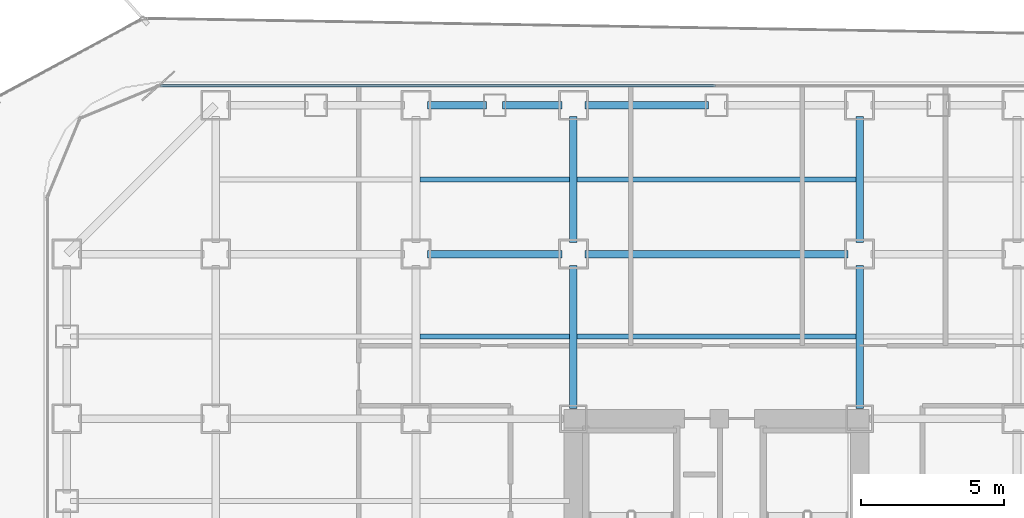
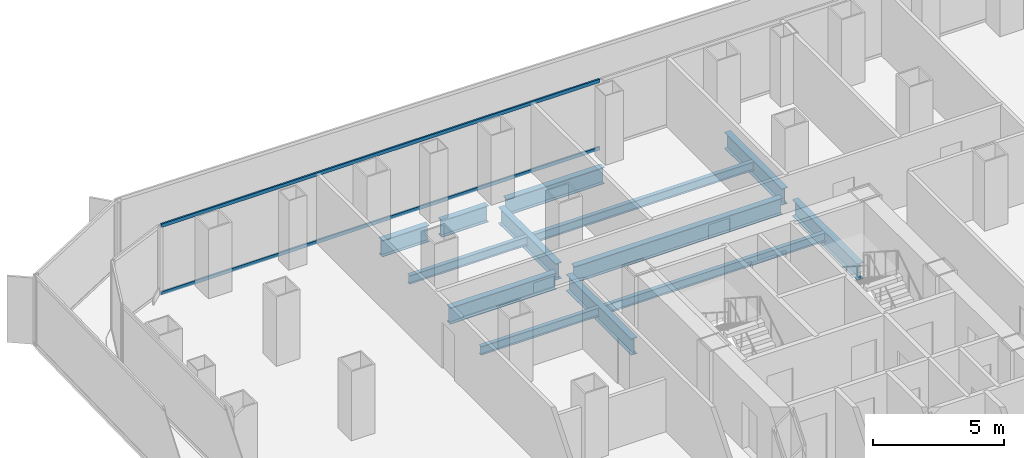
# One storey, part 12 of 22: 13 beams, 2 members, 1 element without a shape of its own.
"""IFC4 building model written with IfcOpenShell, lengths in metres."""

import ifcopenshell
import ifcopenshell.guid

model = None  # the IFC model being written
_history = None  # IfcOwnerHistory: only IFC2X3 demands one
_inside = {}  # id of a spatial element -> (the spatial element, [elements in it])
_under = {}  # id of a project, library or spatial element -> (it, [spatial elements below it])
_declared = {}  # id of a project -> (the project, [libraries it declares])
_typed = {}  # id of a type object -> (the type object, [elements of that type])
_made_of = {}  # id of a material, layer set ... -> (it, [elements and type objects made of it])


def new_model(schema):
    """Start an empty IFC model of exactly this schema.

    Asked for "IFC4X3", IfcOpenShell would pick the latest addendum, in which some entities
    have other attributes; the version numbers below select the first issue.
    IFC2X3 requires an IfcOwnerHistory on every rooted entity: one is made here for all.
    """
    global model, _history
    if schema == "IFC4X3":
        model = ifcopenshell.file(schema_version=(4, 3, 0, 0))
    else:
        model = ifcopenshell.file(schema=schema)
    _inside.clear()
    _under.clear()
    _declared.clear()
    _typed.clear()
    _made_of.clear()
    _history = None
    if model.schema == "IFC2X3":
        org = make("IfcOrganization", Name="unknown")
        user = make(
            "IfcPersonAndOrganization",
            ThePerson=make("IfcPerson", FamilyName="unknown"),
            TheOrganization=org,
        )
        app = make(
            "IfcApplication",
            ApplicationDeveloper=org,
            Version="unknown",
            ApplicationFullName="unknown",
            ApplicationIdentifier="unknown",
        )
        _history = make(
            "IfcOwnerHistory",
            OwningUser=user,
            OwningApplication=app,
            ChangeAction="ADDED",
            CreationDate=0,
        )
    return model


def make(cls, **values):
    """One entity of the class cls with the attributes given. An attribute that is None is left unset."""
    return model.create_entity(
        cls, **{name: value for name, value in values.items() if value is not None}
    )


def rooted(cls, **values):
    """An entity with a GlobalId (a new one), such as an element, a storey or a relation."""
    return make(cls, GlobalId=ifcopenshell.guid.new(), OwnerHistory=_history, **values)


def si_unit(unit_type, name, prefix=None):
    """IfcSIUnit, for example si_unit("LENGTHUNIT", "METRE", prefix="MILLI")."""
    return make("IfcSIUnit", UnitType=unit_type, Prefix=prefix, Name=name)


def assignment(units):
    """IfcUnitAssignment: the units of a project."""
    return None if units is None else make("IfcUnitAssignment", Units=units)


def point(xyz):
    """IfcCartesianPoint."""
    return None if xyz is None else make("IfcCartesianPoint", Coordinates=xyz)


def direction(xyz):
    """IfcDirection."""
    return None if xyz is None else make("IfcDirection", DirectionRatios=xyz)


def frame(location, z_axis=None, x_axis=None):
    """IfcAxis2Placement3D, a coordinate frame: its origin and axes. An axis left out is left unset."""
    return make(
        "IfcAxis2Placement3D",
        Location=point(location),
        Axis=direction(z_axis),
        RefDirection=direction(x_axis),
    )


def frame_2d(location, x_axis=None):
    """IfcAxis2Placement2D, a coordinate frame in the plane: its origin and x axis."""
    return make(
        "IfcAxis2Placement2D", Location=point(location), RefDirection=direction(x_axis)
    )


def origin():
    """The frame at (0, 0, 0) with its axes left unset."""
    return frame((0.0, 0.0, 0.0))


def origin_2d():
    """The frame at (0, 0) in the plane with its x axis left unset."""
    return frame_2d((0.0, 0.0))


def place(relative_to, where):
    """IfcLocalPlacement: puts the frame where relative to a parent placement (None: the world)."""
    return make(
        "IfcLocalPlacement", PlacementRelTo=relative_to, RelativePlacement=where
    )


def context(
    kind, dimensions, precision=None, world=None, true_north=None, identifier=None
):
    """IfcGeometricRepresentationContext, for example the 3D "Model" context."""
    return make(
        "IfcGeometricRepresentationContext",
        ContextIdentifier=identifier,
        ContextType=kind,
        CoordinateSpaceDimension=dimensions,
        Precision=precision,
        WorldCoordinateSystem=world,
        TrueNorth=true_north,
    )


def subcontext(parent, identifier, kind, view, scale=None):
    """IfcGeometricRepresentationSubContext, for example "Body" below "Model"."""
    return make(
        "IfcGeometricRepresentationSubContext",
        ContextIdentifier=identifier,
        ContextType=kind,
        ParentContext=parent,
        TargetScale=scale,
        TargetView=view,
    )


def project(units=None, contexts=None):
    """IfcProject with its units and contexts."""
    return rooted(
        "IfcProject",
        Name="project",
        RepresentationContexts=contexts,
        UnitsInContext=assignment(units),
    )


def spatial(cls, under=None, at=None, **own):
    """A site, building, storey or space (cls), placed at a placement, below another one or the project."""
    s = rooted(cls, ObjectPlacement=at, **own)
    if under is not None:
        _under.setdefault(under.id(), (under, []))[1].append(s)
    return s


def profile(cls, at=None, kind="AREA", **sizes):
    """A parametric profile (cls). Its sizes go by their IFC names, for example OverallWidth=200.0."""
    return make(cls, ProfileType=kind, Position=at, **sizes)


def hollow_rectangle(**sizes):
    """IfcRectangleHollowProfileDef."""
    return profile("IfcRectangleHollowProfileDef", **sizes)


def i_section(**sizes):
    """IfcIShapeProfileDef."""
    return profile("IfcIShapeProfileDef", **sizes)


def extrude(swept, where, along, depth):
    """IfcExtrudedAreaSolid: the profile swept, set in the frame where, extruded along a direction by depth."""
    return make(
        "IfcExtrudedAreaSolid",
        SweptArea=swept,
        Position=where,
        ExtrudedDirection=direction(along),
        Depth=depth,
    )


def shape(context_of_items, identifier, shape_type, items):
    """IfcShapeRepresentation: the items that make up one representation, for example the "Body"."""
    return make(
        "IfcShapeRepresentation",
        ContextOfItems=context_of_items,
        RepresentationIdentifier=identifier,
        RepresentationType=shape_type,
        Items=items,
    )


def source(mapping_origin, context_of_items, identifier, shape_type, items):
    """IfcRepresentationMap: a shape defined once, which mapped items show again and again."""
    return make(
        "IfcRepresentationMap",
        MappingOrigin=mapping_origin,
        MappedRepresentation=shape(context_of_items, identifier, shape_type, items),
    )


def transform(
    local_origin,
    x_axis=None,
    y_axis=None,
    z_axis=None,
    scale=None,
    scale2=None,
    scale3=None,
    uniform=True,
):
    """IfcCartesianTransformationOperator3D, or its non-uniform kind. x_axis, y_axis, z_axis: its Axis1, 2, 3."""
    if uniform:
        return make(
            "IfcCartesianTransformationOperator3D",
            Axis1=direction(x_axis),
            Axis2=direction(y_axis),
            LocalOrigin=point(local_origin),
            Scale=scale,
            Axis3=direction(z_axis),
        )
    return make(
        "IfcCartesianTransformationOperator3DnonUniform",
        Axis1=direction(x_axis),
        Axis2=direction(y_axis),
        LocalOrigin=point(local_origin),
        Scale=scale,
        Axis3=direction(z_axis),
        Scale2=scale2,
        Scale3=scale3,
    )


def mapped(mapping_source, mapping_target):
    """IfcMappedItem: shows the shape of a source again, moved by a transform."""
    return make(
        "IfcMappedItem", MappingSource=mapping_source, MappingTarget=mapping_target
    )


def material(Name=None, Category=None):
    """IfcMaterial."""
    return make("IfcMaterial", Name=Name, Category=Category)


def layer(
    of_material, thickness, ventilated=None, Name=None, Category=None, Priority=None
):
    """IfcMaterialLayer: one layer of a wall or slab, of a material (None: an air gap)."""
    return make(
        "IfcMaterialLayer",
        Material=of_material,
        LayerThickness=thickness,
        IsVentilated=ventilated,
        Name=Name,
        Category=Category,
        Priority=Priority,
    )


def layer_set(layers, Name=None):
    """IfcMaterialLayerSet."""
    return make("IfcMaterialLayerSet", MaterialLayers=layers, LayerSetName=Name)


def material_profile(
    of_material, cross_section, Name=None, Category=None, Priority=None
):
    """IfcMaterialProfile: a cross section and its material."""
    return make(
        "IfcMaterialProfile",
        Name=Name,
        Material=of_material,
        Profile=cross_section,
        Priority=Priority,
        Category=Category,
    )


def profile_set(profiles, Name=None, composite=None):
    """IfcMaterialProfileSet."""
    return make(
        "IfcMaterialProfileSet",
        Name=Name,
        MaterialProfiles=profiles,
        CompositeProfile=composite,
    )


def made_of(thing, what):
    """Note that an element or type object is made of a material, layer set ...; save() writes the relation."""
    if what is not None:
        _made_of.setdefault(what.id(), (what, []))[1].append(thing)
    return thing


def type_object(cls, material=None, **own):
    """A type object (cls), such as IfcWallType, which elements share."""
    return made_of(rooted(cls, **own), material)


def element(
    cls,
    number,
    at=None,
    inside=None,
    cuts=None,
    type_object=None,
    material=None,
    context=None,
    identifier="Body",
    shape_type=None,
    held_by="IfcProductDefinitionShape",
    body=None,
    shapes=None,
    **own,
):
    """One element of the class cls, such as IfcWall. Its Tag is "e" and its number.

    at: its placement. inside: the storey or other place that contains it. cuts: it is an
    opening in that element (IfcRelVoidsElement). A single representation is given by context,
    identifier, shape_type and body (its items); several are given by shapes. held_by: the class
    of the entity that holds the representations. save() writes the other relations.
    """
    e = rooted(cls, Tag="e%d" % number, ObjectPlacement=at, **own)
    if body is not None:
        shapes = [shape(context, identifier, shape_type, body)]
    if shapes is not None:
        e.Representation = make(held_by, Representations=shapes)
    if inside is not None:
        _inside.setdefault(inside.id(), (inside, []))[1].append(e)
    if cuts is not None:
        rooted(
            "IfcRelVoidsElement", RelatingBuildingElement=cuts, RelatedOpeningElement=e
        )
    if type_object is not None:
        _typed.setdefault(type_object.id(), (type_object, []))[1].append(e)
    return made_of(e, material)


def aggregate(whole, parts):
    """IfcRelAggregates: a whole, such as a stair, and the parts it consists of."""
    return rooted("IfcRelAggregates", RelatingObject=whole, RelatedObjects=parts)


def save(model, path):
    """Write the relations noted so far, then the file.

    IfcRelAggregates (storeys below a building ...), IfcRelContainedInSpatialStructure (elements
    in a storey), IfcRelDefinesByType, IfcRelAssociatesMaterial and IfcRelDeclares: one each for
    every whole, place, type object, material and project.
    """
    for whole, parts in _under.values():
        aggregate(whole, parts)
    for where, things in _inside.values():
        rooted(
            "IfcRelContainedInSpatialStructure",
            RelatedElements=things,
            RelatingStructure=where,
        )
    for kind, things in _typed.values():
        rooted("IfcRelDefinesByType", RelatedObjects=things, RelatingType=kind)
    for what, things in _made_of.values():
        rooted("IfcRelAssociatesMaterial", RelatedObjects=things, RelatingMaterial=what)
    for by, libraries in _declared.values():
        rooted("IfcRelDeclares", RelatingContext=by, RelatedDefinitions=libraries)
    model.write(path)


model = new_model("IFC4")

# Units and contexts
model_context = context("Model", 3, precision=1e-05, world=origin(), true_north=direction((0.0, 1.0)))
body_context = subcontext(model_context, "Body", "Model", "MODEL_VIEW")
ifc_project = project(units=[si_unit("LENGTHUNIT", "METRE"), si_unit("AREAUNIT", "SQUARE_METRE"), si_unit("VOLUMEUNIT", "CUBIC_METRE"), si_unit("PLANEANGLEUNIT", "RADIAN"), si_unit("MASSUNIT", "GRAM", prefix="KILO")], contexts=[model_context])

# Site, building, storey
site_placement = place(None, origin())
site = spatial("IfcSite", under=ifc_project, at=site_placement, CompositionType="ELEMENT")
building_placement = place(site_placement, origin())
building = spatial("IfcBuilding", under=site, at=building_placement, Name="Kolveth Station Tower", CompositionType="ELEMENT")
storey_placement = place(building_placement, frame((0.0, 0.0, 72.89990234375)))
storey = spatial("IfcBuildingStorey", under=building, at=storey_placement, Name="L19", CompositionType="ELEMENT", Elevation=72.89990234375)

# Beams
ifc_material_1 = material(Name="Steel S355", Category="steel")
ifc_material_profile_1 = material_profile(ifc_material_1, i_section(OverallWidth=0.26904296875, OverallDepth=0.77490234375, WebThickness=0.01708984375, FlangeThickness=0.0283203125, at=origin_2d()), Name="W760x220")
ifc_profile_set_1 = profile_set([ifc_material_profile_1], Name="Steel S355")
beam_type_1 = type_object("IfcBeamType", Name="Beam_SP1", PredefinedType="SPANDREL", material=ifc_profile_set_1)
shared_shape_1 = source(origin(), body_context, "Body", "SweptSolid", [
    extrude(i_section(OverallWidth=0.26904296875, OverallDepth=0.77490234375, WebThickness=0.01708984375, FlangeThickness=0.0283203125, at=origin_2d()), origin(), (0.0, 0.0, 1.0), 2.070068359375),
])
for number, where, z_axis, x_axis, name in (
    (1, (13.39990234375, 39.699951171875, -0.66748046875), (1.0, 0.0, 0.0), (0.0, 1.0, 0.0), "L19 Perimeter Spandrel BM-L19-PN-3"),
    (2, (16.030029296875, 39.699951171875, -0.66748046875), (1.0, 0.0, 0.0), (0.0, 1.0, 0.0), "L19 Perimeter Spandrel BM-L19-PN-4"),
):
    element("IfcBeam", number, at=place(storey_placement, frame(where, z_axis=z_axis, x_axis=x_axis)), inside=storey, type_object=beam_type_1, Name=name, PredefinedType="SPANDREL", context=body_context, shape_type="MappedRepresentation", body=[
        mapped(shared_shape_1, transform((0.0, 0.0, 0.0), x_axis=(1.0, 0.0, 0.0), y_axis=(0.0, 1.0, 0.0), z_axis=(0.0, 0.0, 1.0), scale=1.0)),
    ])
shared_shape_2 = source(origin(), body_context, "Body", "SweptSolid", [
    extrude(i_section(OverallWidth=0.26904296875, OverallDepth=0.77490234375, WebThickness=0.01708984375, FlangeThickness=0.0283203125, at=origin_2d()), origin(), (0.0, 0.0, 1.0), 4.320068359375),
])
beam_1_placement = place(storey_placement, frame((18.89990234375, 39.699951171875, -0.66748046875), z_axis=(1.0, 0.0, 0.0), x_axis=(0.0, 1.0, 0.0)))
element("IfcBeam", 3, at=beam_1_placement, inside=storey, type_object=beam_type_1, Name="L19 Perimeter Spandrel BM-L19-PN-5", PredefinedType="SPANDREL", context=body_context, shape_type="MappedRepresentation", body=[
    mapped(shared_shape_2, transform((0.0, 0.0, 0.0), x_axis=(1.0, 0.0, 0.0), y_axis=(0.0, 1.0, 0.0), z_axis=(0.0, 0.0, 1.0), scale=1.0)),
])
ifc_material_profile_2 = material_profile(ifc_material_1, i_section(OverallWidth=0.26708984375, OverallDepth=0.76611328125, WebThickness=0.014892578125, FlangeThickness=0.023681640625, at=origin_2d()), Name="W760x185")
ifc_profile_set_2 = profile_set([ifc_material_profile_2], Name="Steel S355")
beam_type_2 = type_object("IfcBeamType", Name="Beam_B3", PredefinedType="BEAM", material=ifc_profile_set_2)
shared_shape_3 = source(origin(), body_context, "Body", "SweptSolid", [
    extrude(i_section(OverallWidth=0.26708984375, OverallDepth=0.76611328125, WebThickness=0.014892578125, FlangeThickness=0.023681640625, at=origin_2d()), origin(), (0.0, 0.0, 1.0), 4.400146484375),
])
for number, where, z_axis, x_axis, name in (
    (4, (18.5, 34.89990234375, -0.662841796875), (0.0, 1.0, 0.0), (-1.0, 0.0, 0.0), "L19 Primary Girder BM-L19-GX185-7"),
    (5, (28.5, 34.89990234375, -0.662841796875), (0.0, 1.0, 0.0), (-1.0, 0.0, 0.0), "L19 Primary Girder BM-L19-GX285-7"),
):
    element("IfcBeam", number, at=place(storey_placement, frame(where, z_axis=z_axis, x_axis=x_axis)), inside=storey, type_object=beam_type_2, Name=name, PredefinedType="BEAM", context=body_context, shape_type="MappedRepresentation", body=[
        mapped(shared_shape_3, transform((0.0, 0.0, 0.0), x_axis=(1.0, 0.0, 0.0), y_axis=(0.0, 1.0, 0.0), z_axis=(0.0, 0.0, 1.0), scale=1.0)),
    ])
shared_shape_4 = source(origin(), body_context, "Body", "SweptSolid", [
    extrude(i_section(OverallWidth=0.26708984375, OverallDepth=0.76611328125, WebThickness=0.014892578125, FlangeThickness=0.023681640625, at=origin_2d()), origin(), (0.0, 0.0, 1.0), 4.7001953125),
])
beam_2_placement = place(storey_placement, frame((13.39990234375, 34.5, -0.662841796875), z_axis=(1.0, 0.0, 0.0), x_axis=(0.0, 1.0, 0.0)))
element("IfcBeam", 6, at=beam_2_placement, inside=storey, type_object=beam_type_2, Name="L19 Primary Girder BM-L19-GY345-3", PredefinedType="BEAM", context=body_context, shape_type="MappedRepresentation", body=[
    mapped(shared_shape_4, transform((0.0, 0.0, 0.0), x_axis=(1.0, 0.0, 0.0), y_axis=(0.0, 1.0, 0.0), z_axis=(0.0, 0.0, 1.0), scale=1.0)),
])
shared_shape_5 = source(origin(), body_context, "Body", "SweptSolid", [
    extrude(i_section(OverallWidth=0.26708984375, OverallDepth=0.76611328125, WebThickness=0.014892578125, FlangeThickness=0.023681640625, at=origin_2d()), origin(), (0.0, 0.0, 1.0), 9.2001953125),
])
beam_3_placement = place(storey_placement, frame((18.89990234375, 34.5, -0.662841796875), z_axis=(1.0, 0.0, 0.0), x_axis=(0.0, 1.0, 0.0)))
element("IfcBeam", 7, at=beam_3_placement, inside=storey, type_object=beam_type_2, Name="L19 Primary Girder BM-L19-GY345-4", PredefinedType="BEAM", context=body_context, shape_type="MappedRepresentation", body=[
    mapped(shared_shape_5, transform((0.0, 0.0, 0.0), x_axis=(1.0, 0.0, 0.0), y_axis=(0.0, 1.0, 0.0), z_axis=(0.0, 0.0, 1.0), scale=1.0)),
])
shared_shape_6 = source(origin(), body_context, "Body", "SweptSolid", [
    extrude(i_section(OverallWidth=0.26708984375, OverallDepth=0.76611328125, WebThickness=0.014892578125, FlangeThickness=0.023681640625, at=origin_2d()), origin(), (0.0, 0.0, 1.0), 4.989990234375),
])
for number, where, z_axis, x_axis, name in (
    (8, (18.5, 29.110107421875, -0.662841796875), (0.0, 1.0, 0.0), (-1.0, 0.0, 0.0), "L19 Primary Girder BM-L19-GX185-6"),
    (9, (28.5, 29.110107421875, -0.662841796875), (0.0, 1.0, 0.0), (-1.0, 0.0, 0.0), "L19 Primary Girder BM-L19-GX285-6"),
):
    element("IfcBeam", number, at=place(storey_placement, frame(where, z_axis=z_axis, x_axis=x_axis)), inside=storey, type_object=beam_type_2, Name=name, PredefinedType="BEAM", context=body_context, shape_type="MappedRepresentation", body=[
        mapped(shared_shape_6, transform((0.0, 0.0, 0.0), x_axis=(1.0, 0.0, 0.0), y_axis=(0.0, 1.0, 0.0), z_axis=(0.0, 0.0, 1.0), scale=1.0)),
    ])
ifc_material_profile_3 = material_profile(ifc_material_1, i_section(OverallWidth=0.177978515625, OverallDepth=0.406982421875, WebThickness=0.0078125, FlangeThickness=0.0126953125, at=origin_2d()), Name="W410x60")
ifc_profile_set_3 = profile_set([ifc_material_profile_3], Name="Steel S355")
beam_type_3 = type_object("IfcBeamType", Name="Beam_J1", PredefinedType="JOIST", material=ifc_profile_set_3)
shared_shape_7 = source(origin(), body_context, "Body", "SweptSolid", [
    extrude(i_section(OverallWidth=0.177978515625, OverallDepth=0.406982421875, WebThickness=0.0078125, FlangeThickness=0.0126953125, at=origin_2d()), origin(), (0.0, 0.0, 1.0), 5.23681640625),
])
for number, where, z_axis, x_axis, name in (
    (10, (13.131591796875, 31.625, -0.4833984375), (1.0, 0.0, 0.0), (0.0, 1.0, 0.0), "L19 Secondary Joist JST-L19-3-6"),
    (11, (13.131591796875, 37.10009765625, -0.4833984375), (1.0, 0.0, 0.0), (0.0, 1.0, 0.0), "L19 Secondary Joist JST-L19-3-7"),
):
    element("IfcBeam", number, at=place(storey_placement, frame(where, z_axis=z_axis, x_axis=x_axis)), inside=storey, type_object=beam_type_3, Name=name, PredefinedType="JOIST", context=body_context, shape_type="MappedRepresentation", body=[
        mapped(shared_shape_7, transform((0.0, 0.0, 0.0), x_axis=(1.0, 0.0, 0.0), y_axis=(0.0, 1.0, 0.0), z_axis=(0.0, 0.0, 1.0), scale=1.0)),
    ])
shared_shape_8 = source(origin(), body_context, "Body", "SweptSolid", [
    extrude(i_section(OverallWidth=0.177978515625, OverallDepth=0.406982421875, WebThickness=0.0078125, FlangeThickness=0.0126953125, at=origin_2d()), origin(), (0.0, 0.0, 1.0), 9.73681640625),
])
for number, where, z_axis, x_axis, name in (
    (12, (18.631591796875, 31.625, -0.4833984375), (1.0, 0.0, 0.0), (0.0, 1.0, 0.0), "L19 Secondary Joist JST-L19-4-6"),
    (13, (18.631591796875, 37.10009765625, -0.4833984375), (1.0, 0.0, 0.0), (0.0, 1.0, 0.0), "L19 Secondary Joist JST-L19-4-7"),
):
    element("IfcBeam", number, at=place(storey_placement, frame(where, z_axis=z_axis, x_axis=x_axis)), inside=storey, type_object=beam_type_3, Name=name, PredefinedType="JOIST", context=body_context, shape_type="MappedRepresentation", body=[
        mapped(shared_shape_8, transform((0.0, 0.0, 0.0), x_axis=(1.0, 0.0, 0.0), y_axis=(0.0, 1.0, 0.0), z_axis=(0.0, 0.0, 1.0), scale=1.0)),
    ])

# Curtain wall, members
ifc_material_2 = material(Name="Aluminium 6063-T6 and low-E dark glass", Category="aluminium")
ifc_layer = layer(ifc_material_2, 0.179931640625)
ifc_layer_set = layer_set([ifc_layer], Name="Aluminium 6063-T6 and low-E dark glass")
curtain_wall_type = type_object("IfcCurtainWallType", Name="CurtainWall_CW-Z1", PredefinedType="NOTDEFINED", material=ifc_layer_set)
curtain_wall_placement = place(storey_placement, origin())
curtain_wall = element("IfcCurtainWall", 14, at=curtain_wall_placement, inside=storey, type_object=curtain_wall_type, Name="L19 Inner Thermal Curtain Wall 6", PredefinedType="NOTDEFINED")
ifc_material_3 = material(Name="Black anodized aluminium 6063-T6", Category="aluminium")
ifc_material_profile_4 = material_profile(ifc_material_3, hollow_rectangle(XDim=0.074951171875, YDim=0.159912109375, WallThickness=0.0048828125, at=origin_2d()), Name="ALU-75x160x5")
ifc_profile_set_4 = profile_set([ifc_material_profile_4], Name="Black anodized aluminium 6063-T6")
member_type = type_object("IfcMemberType", Name="Transom_TR1", PredefinedType="USERDEFINED", material=ifc_profile_set_4)
shared_shape_9 = source(origin(), body_context, "Body", "SweptSolid", [
    extrude(hollow_rectangle(XDim=0.074951171875, YDim=0.159912109375, WallThickness=0.0048828125, at=origin_2d()), origin(), (0.0, 0.0, 1.0), 19.387451171875),
])
member_1_placement = place(storey_placement, frame((23.46240234375, 40.3798828125, 0.03759765625), z_axis=(-1.0, 0.0, 0.0), x_axis=(0.0, -1.0, 0.0)))
member_1 = element("IfcMember", 15, at=member_1_placement, type_object=member_type, Name="CW-Z1 transom 2.1", ObjectType="TRANSOM", PredefinedType="USERDEFINED", context=body_context, shape_type="MappedRepresentation", body=[
    mapped(shared_shape_9, transform((0.0, 0.0, 0.0), x_axis=(1.0, 0.0, 0.0), y_axis=(0.0, 1.0, 0.0), z_axis=(0.0, 0.0, 1.0), scale=1.0)),
])
member_2_placement = place(storey_placement, frame((23.46240234375, 40.3798828125, 3.20263671875), z_axis=(-1.0, 0.0, 0.0), x_axis=(0.0, -1.0, 0.0)))
member_2 = element("IfcMember", 16, at=member_2_placement, type_object=member_type, Name="CW-Z1 transom 2.2", ObjectType="TRANSOM", PredefinedType="USERDEFINED", context=body_context, shape_type="MappedRepresentation", body=[
    mapped(shared_shape_9, transform((0.0, 0.0, 0.0), x_axis=(1.0, 0.0, 0.0), y_axis=(0.0, 1.0, 0.0), z_axis=(0.0, 0.0, 1.0), scale=1.0)),
])
aggregate(curtain_wall, [member_1, member_2])

save(model, "model.ifc")
